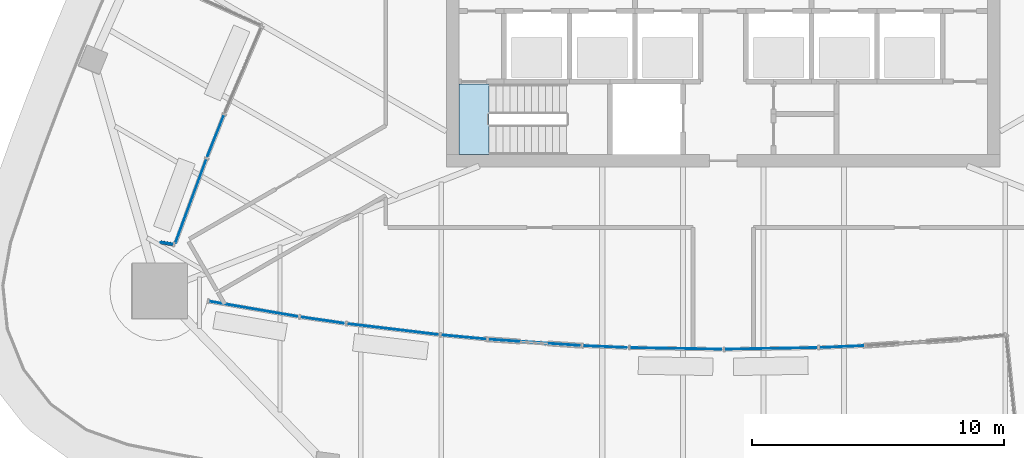
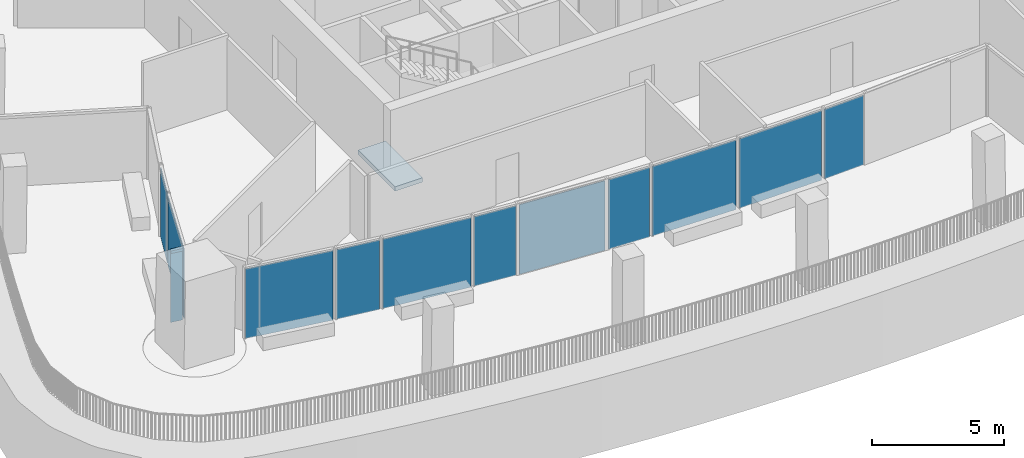
# One storey, part 8 of 22: 12 plates, 1 member, 1 slab, 12 elements without a shape of their own.
"""IFC4 building model written with IfcOpenShell, lengths in metres."""

from ifc_helpers import new_model, si_unit, direction, frame, origin, origin_2d, place, context, subcontext, project, spatial, polyline, rectangle, outline, extrude, material, layer, layer_set, material_profile, profile_set, type_object, element, aggregate, save


model = new_model("IFC4")

# Units and contexts
model_context = context("Model", 3, precision=1e-05, world=origin(), true_north=direction((0.0, 1.0)))
body_context = subcontext(model_context, "Body", "Model", "MODEL_VIEW")
ifc_project = project(units=[si_unit("LENGTHUNIT", "METRE"), si_unit("AREAUNIT", "SQUARE_METRE"), si_unit("VOLUMEUNIT", "CUBIC_METRE"), si_unit("PLANEANGLEUNIT", "RADIAN"), si_unit("MASSUNIT", "GRAM", prefix="KILO")], contexts=[model_context])

# Site, building, storey
site_placement = place(None, origin())
site = spatial("IfcSite", under=ifc_project, at=site_placement, CompositionType="ELEMENT")
building_placement = place(site_placement, origin())
building = spatial("IfcBuilding", under=site, at=building_placement, Name="Sierra Prisma Convention Tower", CompositionType="ELEMENT")
storey_placement = place(building_placement, frame((0.0, 0.0, 227.0)))
storey = spatial("IfcBuildingStorey", under=building, at=storey_placement, Name="L50", CompositionType="ELEMENT", Elevation=227.0)

# Curtain wall, member
ifc_material_1 = material(Name="Aluminium and glass curtain wall", Category="aluminium")
ifc_layer_1 = layer(ifc_material_1, 0.179931640625)
ifc_layer_set_1 = layer_set([ifc_layer_1], Name="CW-6 Terrace recess curtain wall")
curtain_wall_type = type_object("IfcCurtainWallType", Name="CW-6 Terrace recess curtain wall", PredefinedType="NOTDEFINED", material=ifc_layer_set_1)
curtain_wall_1_placement = place(storey_placement, origin())
curtain_wall_1 = element("IfcCurtainWall", 1, at=curtain_wall_1_placement, inside=storey, type_object=curtain_wall_type, Name="CW-6 R4 L50", PredefinedType="NOTDEFINED")
ifc_material_2 = material(Name="Aluminium 6063-T6 bronze anodised", Category="aluminium")
ifc_material_profile = material_profile(ifc_material_2, rectangle(XDim=0.139892578125, YDim=0.1201171875, at=origin_2d()), Name="ALU TRANSOM 120x140")
ifc_profile_set = profile_set([ifc_material_profile], Name="Aluminium 6063-T6 bronze anodised")
member_type = type_object("IfcMemberType", Name="CW transom bronze", PredefinedType="USERDEFINED", material=ifc_profile_set)
member_placement = place(storey_placement, frame((-21.849365234375, -11.072021484375, 3.280029296875), z_axis=(-0.986353685872, 0.164640233137, 0.0), x_axis=(-0.164640233137, -0.986353685872, 0.0)))
member = element("IfcMember", 2, at=member_placement, type_object=member_type, Name="CW-6 transom R4.1", ObjectType="TRANSOM", PredefinedType="USERDEFINED", context=body_context, shape_type="SweptSolid", body=[
    extrude(rectangle(XDim=0.139892578125, YDim=0.1201171875, at=origin_2d()), origin(), (0.0, 0.0, 1.0), 0.492431640625),
])

# Curtain wall, plate
curtain_wall_2_placement = place(storey_placement, origin())
curtain_wall_2 = element("IfcCurtainWall", 3, at=curtain_wall_2_placement, inside=storey, type_object=curtain_wall_type, Name="CW-6 R2 L50", PredefinedType="NOTDEFINED")
ifc_material_3 = material(Name="Tinted glass bronze-grey IGU", Category="glass")
ifc_layer_2 = layer(ifc_material_3, 0.028076171875)
ifc_layer_set_2 = layer_set([ifc_layer_2], Name="CW-6 glass panel")
plate_type = type_object("IfcPlateType", Name="CW-6 glass panel", PredefinedType="CURTAIN_PANEL", material=ifc_layer_set_2)
plate_1_placement = place(storey_placement, frame((-20.15625, -6.75146484375, 0.0), z_axis=(0.0, 0.0, 1.0), x_axis=(-0.369895006312, -0.929073562376, 0.0)))
plate_1 = element("IfcPlate", 4, at=plate_1_placement, type_object=plate_type, Name="CW-6 panel R2.1", PredefinedType="CURTAIN_PANEL", context=body_context, shape_type="SweptSolid", body=[
    extrude(rectangle(XDim=1.740234375, YDim=0.028076171875, at=origin_2d()), origin(), (0.0, 0.0, 1.0), 3.219970703125),
])
aggregate(curtain_wall_2, [plate_1])

curtain_wall_3_placement = place(storey_placement, origin())
curtain_wall_3 = element("IfcCurtainWall", 5, at=curtain_wall_3_placement, inside=storey, type_object=curtain_wall_type, Name="CW-6 R3 L50", PredefinedType="NOTDEFINED")
plate_2_placement = place(storey_placement, frame((-21.142333984375, -9.354248046875, 0.0), z_axis=(0.0, 0.0, 1.0), x_axis=(-0.346211643008, -0.938156435914, 0.0)))
plate_2 = element("IfcPlate", 6, at=plate_2_placement, type_object=plate_type, Name="CW-6 panel R3.1", PredefinedType="CURTAIN_PANEL", context=body_context, shape_type="SweptSolid", body=[
    extrude(rectangle(XDim=3.546630859375, YDim=0.028076171875, at=origin_2d()), origin(), (0.0, 0.0, 1.0), 3.219970703125),
])
aggregate(curtain_wall_3, [plate_2])

# Plate
plate_3_placement = place(storey_placement, frame((-22.09228515625, -11.031494140625, 0.0), z_axis=(0.0, 0.0, 1.0), x_axis=(-0.986318553072, 0.164850574358, 0.0)))
plate_3 = element("IfcPlate", 7, at=plate_3_placement, type_object=plate_type, Name="CW-6 panel R4.1", PredefinedType="CURTAIN_PANEL", context=body_context, shape_type="SweptSolid", body=[
    extrude(rectangle(XDim=0.492431640625, YDim=0.028076171875, at=origin_2d()), origin(), (0.0, 0.0, 1.0), 3.219970703125),
])

aggregate(curtain_wall_1, [member, plate_3])

# Curtain wall, plate
curtain_wall_4_placement = place(storey_placement, origin())
curtain_wall_4 = element("IfcCurtainWall", 8, at=curtain_wall_4_placement, inside=storey, type_object=curtain_wall_type, Name="CW-6 R28 L50", PredefinedType="NOTDEFINED")
plate_4_placement = place(storey_placement, frame((-18.67138671875, -13.6328125, 0.0), z_axis=(0.0, 0.0, 1.0), x_axis=(0.985573844924, -0.169245963622, 0.0)))
plate_4 = element("IfcPlate", 9, at=plate_4_placement, type_object=plate_type, Name="CW-6 panel R28.1", PredefinedType="CURTAIN_PANEL", context=body_context, shape_type="SweptSolid", body=[
    extrude(rectangle(XDim=3.544921875, YDim=0.028076171875, at=origin_2d()), origin(), (0.0, 0.0, 1.0), 3.219970703125),
])
aggregate(curtain_wall_4, [plate_4])

curtain_wall_5_placement = place(storey_placement, origin())
curtain_wall_5 = element("IfcCurtainWall", 10, at=curtain_wall_5_placement, inside=storey, type_object=curtain_wall_type, Name="CW-6 R29 L50", PredefinedType="NOTDEFINED")
plate_5_placement = place(storey_placement, frame((-15.92529296875, -14.080078125, 0.0), z_axis=(0.0, 0.0, 1.0), x_axis=(0.989548810158, -0.144198308988, 0.0)))
plate_5 = element("IfcPlate", 11, at=plate_5_placement, type_object=plate_type, Name="CW-6 panel R29.1", PredefinedType="CURTAIN_PANEL", context=body_context, shape_type="SweptSolid", body=[
    extrude(rectangle(XDim=1.740234375, YDim=0.028076171875, at=origin_2d()), origin(), (0.0, 0.0, 1.0), 3.219970703125),
])
aggregate(curtain_wall_5, [plate_5])

curtain_wall_6_placement = place(storey_placement, origin())
curtain_wall_6 = element("IfcCurtainWall", 12, at=curtain_wall_6_placement, inside=storey, type_object=curtain_wall_type, Name="CW-6 R30 L50", PredefinedType="NOTDEFINED")
plate_6_placement = place(storey_placement, frame((-13.128173828125, -14.439208984375, 0.0), z_axis=(0.0, 0.0, 1.0), x_axis=(0.992908013548, -0.118885140501, 0.0)))
plate_6 = element("IfcPlate", 13, at=plate_6_placement, type_object=plate_type, Name="CW-6 panel R30.1", PredefinedType="CURTAIN_PANEL", context=body_context, shape_type="SweptSolid", body=[
    extrude(rectangle(XDim=3.6201171875, YDim=0.028076171875, at=origin_2d()), origin(), (0.0, 0.0, 1.0), 3.219970703125),
])
aggregate(curtain_wall_6, [plate_6])

curtain_wall_7_placement = place(storey_placement, origin())
curtain_wall_7 = element("IfcCurtainWall", 14, at=curtain_wall_7_placement, inside=storey, type_object=curtain_wall_type, Name="CW-6 R31 L50", PredefinedType="NOTDEFINED")
plate_7_placement = place(storey_placement, frame((-10.325439453125, -14.75048828125, 0.0), z_axis=(0.0, 0.0, 1.0), x_axis=(0.995619800455, -0.093494454075, 0.0)))
plate_7 = element("IfcPlate", 15, at=plate_7_placement, type_object=plate_type, Name="CW-6 panel R31.1", PredefinedType="CURTAIN_PANEL", context=body_context, shape_type="SweptSolid", body=[
    extrude(rectangle(XDim=1.740234375, YDim=0.028076171875, at=origin_2d()), origin(), (0.0, 0.0, 1.0), 3.219970703125),
])
aggregate(curtain_wall_7, [plate_7])

curtain_wall_8_placement = place(storey_placement, origin())
curtain_wall_8 = element("IfcCurtainWall", 16, at=curtain_wall_8_placement, inside=storey, type_object=curtain_wall_type, Name="CW-6 R32 L50", PredefinedType="NOTDEFINED")
plate_8_placement = place(storey_placement, frame((-7.513916015625, -14.96630859375, 0.0), z_axis=(0.0, 0.0, 1.0), x_axis=(0.997682402684, -0.068042805455, 0.0)))
plate_8 = element("IfcPlate", 17, at=plate_8_placement, type_object=plate_type, Name="CW-6 panel R32.1", PredefinedType="CURTAIN_PANEL", context=body_context, shape_type="SweptSolid", body=[
    extrude(rectangle(XDim=3.6201171875, YDim=0.028076171875, at=origin_2d()), origin(), (0.0, 0.0, 1.0), 3.219970703125),
])
aggregate(curtain_wall_8, [plate_8])

curtain_wall_9_placement = place(storey_placement, origin())
curtain_wall_9 = element("IfcCurtainWall", 18, at=curtain_wall_9_placement, inside=storey, type_object=curtain_wall_type, Name="CW-6 R33 L50", PredefinedType="NOTDEFINED")
plate_9_placement = place(storey_placement, frame((-4.69873046875, -15.13427734375, 0.0), z_axis=(0.0, 0.0, 1.0), x_axis=(0.999094475336, -0.042546790154, 0.0)))
plate_9 = element("IfcPlate", 19, at=plate_9_placement, type_object=plate_type, Name="CW-6 panel R33.1", PredefinedType="CURTAIN_PANEL", context=body_context, shape_type="SweptSolid", body=[
    extrude(rectangle(XDim=1.740234375, YDim=0.028076171875, at=origin_2d()), origin(), (0.0, 0.0, 1.0), 3.219970703125),
])
aggregate(curtain_wall_9, [plate_9])

curtain_wall_10_placement = place(storey_placement, origin())
curtain_wall_10 = element("IfcCurtainWall", 20, at=curtain_wall_10_placement, inside=storey, type_object=curtain_wall_type, Name="CW-6 R34 L50", PredefinedType="NOTDEFINED")
plate_10_placement = place(storey_placement, frame((-1.8798828125, -15.206298828125, 0.0), z_axis=(0.0, 0.0, 1.0), x_axis=(0.999855097682, -0.017023032595, 0.0)))
plate_10 = element("IfcPlate", 21, at=plate_10_placement, type_object=plate_type, Name="CW-6 panel R34.1", PredefinedType="CURTAIN_PANEL", context=body_context, shape_type="SweptSolid", body=[
    extrude(rectangle(XDim=3.6201171875, YDim=0.028076171875, at=origin_2d()), origin(), (0.0, 0.0, 1.0), 3.219970703125),
])
aggregate(curtain_wall_10, [plate_10])

curtain_wall_11_placement = place(storey_placement, origin())
curtain_wall_11 = element("IfcCurtainWall", 22, at=curtain_wall_11_placement, inside=storey, type_object=curtain_wall_type, Name="CW-6 R35 L50", PredefinedType="NOTDEFINED")
plate_11_placement = place(storey_placement, frame((1.8798828125, -15.206298828125, 0.0), z_axis=(0.0, 0.0, 1.0), x_axis=(0.999855097682, 0.017023032595, 0.0)))
plate_11 = element("IfcPlate", 23, at=plate_11_placement, type_object=plate_type, Name="CW-6 panel R35.1", PredefinedType="CURTAIN_PANEL", context=body_context, shape_type="SweptSolid", body=[
    extrude(rectangle(XDim=3.6201171875, YDim=0.028076171875, at=origin_2d()), origin(), (0.0, 0.0, 1.0), 3.219970703125),
])
aggregate(curtain_wall_11, [plate_11])

curtain_wall_12_placement = place(storey_placement, origin())
curtain_wall_12 = element("IfcCurtainWall", 24, at=curtain_wall_12_placement, inside=storey, type_object=curtain_wall_type, Name="CW-6 R36 L50", PredefinedType="NOTDEFINED")
plate_12_placement = place(storey_placement, frame((4.69873046875, -15.13427734375, 0.0), z_axis=(0.0, 0.0, 1.0), x_axis=(0.999094475336, 0.042546790154, 0.0)))
plate_12 = element("IfcPlate", 25, at=plate_12_placement, type_object=plate_type, Name="CW-6 panel R36.1", PredefinedType="CURTAIN_PANEL", context=body_context, shape_type="SweptSolid", body=[
    extrude(rectangle(XDim=1.740234375, YDim=0.028076171875, at=origin_2d()), origin(), (0.0, 0.0, 1.0), 3.219970703125),
])
aggregate(curtain_wall_12, [plate_12])

# Slab
ifc_material_4 = material(Name="Concrete C35/45", Category="concrete")
ifc_layer_3 = layer(ifc_material_4, 0.199951171875)
ifc_layer_set_3 = layer_set([ifc_layer_3], Name="Stair landing slab")
slab_type = type_object("IfcSlabType", Name="Stair landing slab", PredefinedType="LANDING", material=ifc_layer_set_3)
slab_placement = place(storey_placement, frame((0.0, 0.0, -0.199951171875)))
element("IfcSlab", 26, at=slab_placement, inside=storey, type_object=slab_type, Name="S1 floor landing L50", PredefinedType="LANDING", context=body_context, shape_type="SweptSolid", body=[
    extrude(outline(polyline([(-10.5, -7.5), (-9.298095703125, -7.5), (-9.298095703125, -4.699951171875), (-10.5, -4.699951171875), (-10.5, -7.5)])), origin(), (0.0, 0.0, 1.0), 0.199951171875),
])

save(model, "model.ifc")
